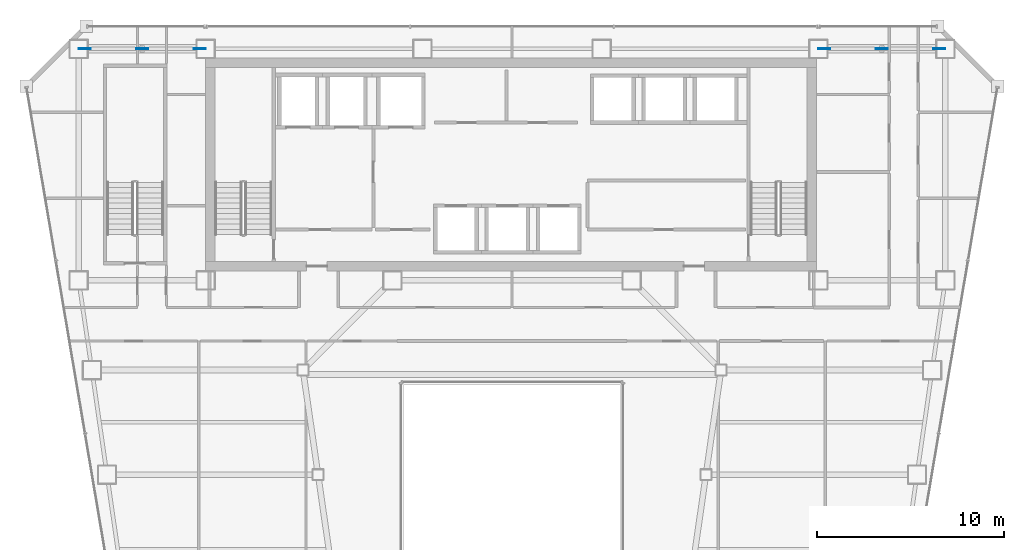
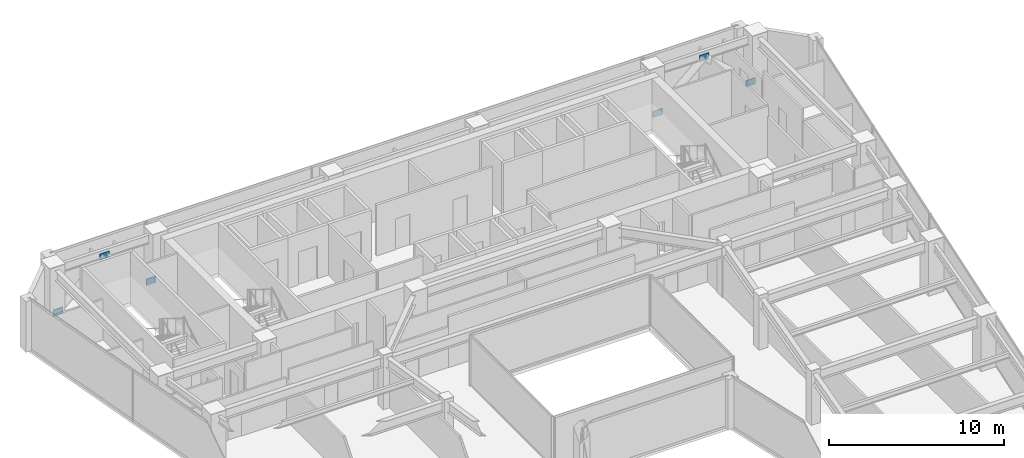
# One storey, part 28 of 35: 6 plates.
"""IFC4 building model written with IfcOpenShell, lengths in metres."""

from ifc_helpers import new_model, si_unit, direction, frame, origin, origin_2d, place, context, subcontext, project, spatial, rectangle, extrude, material, layer, layer_set, type_object, element, save


model = new_model("IFC4")

# Units and contexts
model_context = context("Model", 3, precision=1e-05, world=origin(), true_north=direction((0.0, 1.0)))
body_context = subcontext(model_context, "Body", "Model", "MODEL_VIEW")
ifc_project = project(units=[si_unit("LENGTHUNIT", "METRE"), si_unit("AREAUNIT", "SQUARE_METRE"), si_unit("VOLUMEUNIT", "CUBIC_METRE"), si_unit("PLANEANGLEUNIT", "RADIAN"), si_unit("MASSUNIT", "GRAM", prefix="KILO")], contexts=[model_context])

# Site, building, storey
site_placement = place(None, origin())
site = spatial("IfcSite", under=ifc_project, at=site_placement, CompositionType="ELEMENT")
building_placement = place(site_placement, origin())
building = spatial("IfcBuilding", under=site, at=building_placement, Name="Saevonmaru Cultural Tower", CompositionType="ELEMENT")
storey_placement = place(building_placement, frame((0.0, 0.0, 179.0)))
storey = spatial("IfcBuildingStorey", under=building, at=storey_placement, Name="L40", CompositionType="ELEMENT", Elevation=179.0)

# Plates
ifc_material = material(Name="Steel HSA600 (600 MPa)", Category="steel")
ifc_layer = layer(ifc_material, 0.0400390625, Name="Steel HSA600 (600 MPa)")
ifc_layer_set = layer_set([ifc_layer], Name="Steel HSA600 (600 MPa)")
plate_type = type_object("IfcPlateType", Name="PL-GUSSET-EXT", PredefinedType="USERDEFINED", material=ifc_layer_set)
for number, where, z_axis, x_axis, name in (
    (1, (10.199951171875, 54.800048828125, 2.85009765625), (0.0, 0.0, 1.0), (1.0, 0.0, 0.0), "L40 Perimeter Tube Gusset Plate"),
    (2, (7.1201171875, 54.800048828125, 0.02001953125), (0.0, 0.0, 1.0), (1.0, 0.0, 0.0), "L40 Perimeter Tube Gusset Plate"),
    (3, (13.280029296875, 54.800048828125, 0.02001953125), (0.0, 0.0, 1.0), (1.0, 0.0, 0.0), "L40 Perimeter Tube Gusset Plate"),
    (4, (49.800048828125, 54.800048828125, 2.85009765625), (0.0, 0.0, 1.0), (1.0, 0.0, 0.0), "L40 Perimeter Tube Gusset Plate"),
    (5, (46.719970703125, 54.800048828125, 0.02001953125), (0.0, 0.0, 1.0), (1.0, 0.0, 0.0), "L40 Perimeter Tube Gusset Plate"),
    (6, (52.8798828125, 54.800048828125, 0.02001953125), (0.0, 0.0, 1.0), (1.0, 0.0, 0.0), "L40 Perimeter Tube Gusset Plate"),
):
    element("IfcPlate", number, at=place(storey_placement, frame(where, z_axis=z_axis, x_axis=x_axis)), inside=storey, type_object=plate_type, Name=name, ObjectType="GUSSET_PLATE", PredefinedType="USERDEFINED", context=body_context, shape_type="SweptSolid", body=[
        extrude(rectangle(XDim=0.639892578125, YDim=0.0400390625, at=origin_2d()), origin(), (0.0, 0.0, 1.0), 0.43994140625),
    ])

save(model, "model.ifc")
